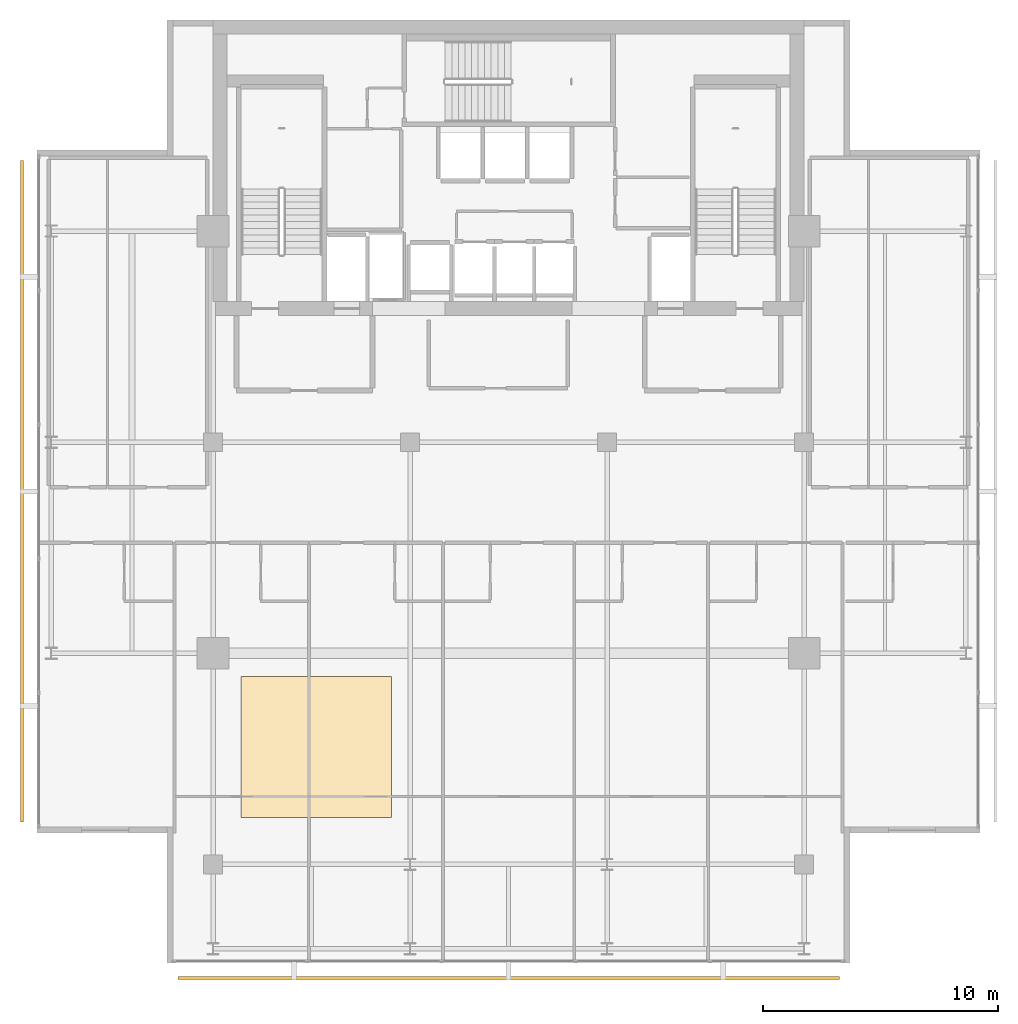
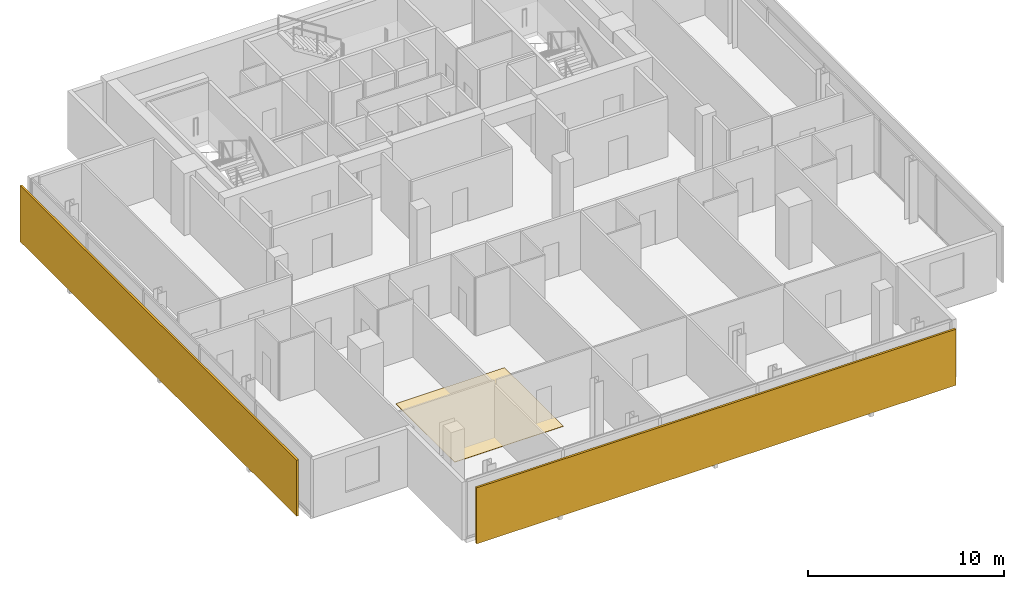
# One storey, part 21 of 24: 2 shading devices, 1 covering.
"""IFC4 building model written with IfcOpenShell, lengths in metres."""

from ifc_helpers import new_model, si_unit, direction, frame, origin, origin_2d, place, context, subcontext, project, spatial, polyline, rectangle, outline, extrude, material, layer, layer_set, type_object, element, save


model = new_model("IFC4")

# Units and contexts
model_context = context("Model", 3, precision=1e-05, world=origin(), true_north=direction((0.0, 1.0)))
body_context = subcontext(model_context, "Body", "Model", "MODEL_VIEW")
ifc_project = project(units=[si_unit("LENGTHUNIT", "METRE"), si_unit("AREAUNIT", "SQUARE_METRE"), si_unit("VOLUMEUNIT", "CUBIC_METRE"), si_unit("PLANEANGLEUNIT", "RADIAN"), si_unit("MASSUNIT", "GRAM", prefix="KILO")], contexts=[model_context])

# Site, building, storey
site_placement = place(None, origin())
site = spatial("IfcSite", under=ifc_project, at=site_placement, CompositionType="ELEMENT")
building_placement = place(site_placement, origin())
building = spatial("IfcBuilding", under=site, at=building_placement, Name="Maruvema Waterfront Hotel and Observation Tower", CompositionType="ELEMENT")
storey_placement = place(building_placement, frame((0.0, 0.0, 329.699951171875)))
storey = spatial("IfcBuildingStorey", under=building, at=storey_placement, Name="L81", CompositionType="ELEMENT", Elevation=329.699951171875)

# Covering
ifc_material_1 = material(Name="Engineered Brazilian freijo hardwood", Category="wood")
ifc_layer_1 = layer(ifc_material_1, 0.02197265625, Name="Engineered Brazilian Freijo Timber Suite Flooring 22 mm")
ifc_layer_set_1 = layer_set([ifc_layer_1], Name="Engineered Brazilian freijo hardwood")
covering_type = type_object("IfcCoveringType", Name="Engineered Brazilian Freijo Timber Suite Flooring 22 mm", PredefinedType="FLOORING", material=ifc_layer_set_1)
covering_placement = place(storey_placement, origin())
element("IfcCovering", 1, at=covering_placement, inside=storey, type_object=covering_type, Name="L81 Sky Suite Freijo Timber Flooring", PredefinedType="FLOORING", context=body_context, shape_type="SweptSolid", body=[
    extrude(outline(polyline([(26.39990234375, 20.0), (32.800048828125, 20.0), (32.800048828125, 26.0), (26.39990234375, 26.0), (26.39990234375, 20.0)])), origin(), (0.0, 0.0, 1.0), 0.02197265625),
])

# Shading devices
ifc_material_2 = material(Name="Honed travertine stone and anodised architectural bronze", Category="masonry")
ifc_layer_2 = layer(ifc_material_2, 0.1201171875, Name="Ventilated Outer Skin Cobogo Stone-and-Bronze Screen 120 mm")
ifc_layer_set_2 = layer_set([ifc_layer_2], Name="Honed travertine stone and anodised architectural bronze")
shading_device_type = type_object("IfcShadingDeviceType", Name="Ventilated Outer Skin Cobogo Stone-and-Bronze Screen 120 mm", PredefinedType="USERDEFINED", material=ifc_layer_set_2)
for number, where, z_axis, x_axis, name in (
    (2, (37.800048828125, 13.14990234375, 0.06005859375), (0.0, 0.0, 1.0), (1.0, 0.0, 0.0), "L81 Ventilated Double-Skin Outer Cobogo Screen OS-L81-S"),
    (3, (17.050048828125, 33.89990234375, 0.06005859375), (0.0, 0.0, 1.0), (0.0, -1.0, 0.0), "L81 Ventilated Double-Skin Outer Cobogo Screen OS-L81-W"),
):
    element("IfcShadingDevice", number, at=place(storey_placement, frame(where, z_axis=z_axis, x_axis=x_axis)), inside=storey, type_object=shading_device_type, Name=name, ObjectType="OUTER SKIN SCREEN", PredefinedType="USERDEFINED", context=body_context, shape_type="SweptSolid", body=[
        extrude(rectangle(XDim=28.199951171875, YDim=0.1201171875, at=origin_2d()), origin(), (0.0, 0.0, 1.0), 3.489990234375),
    ])

save(model, "model.ifc")
